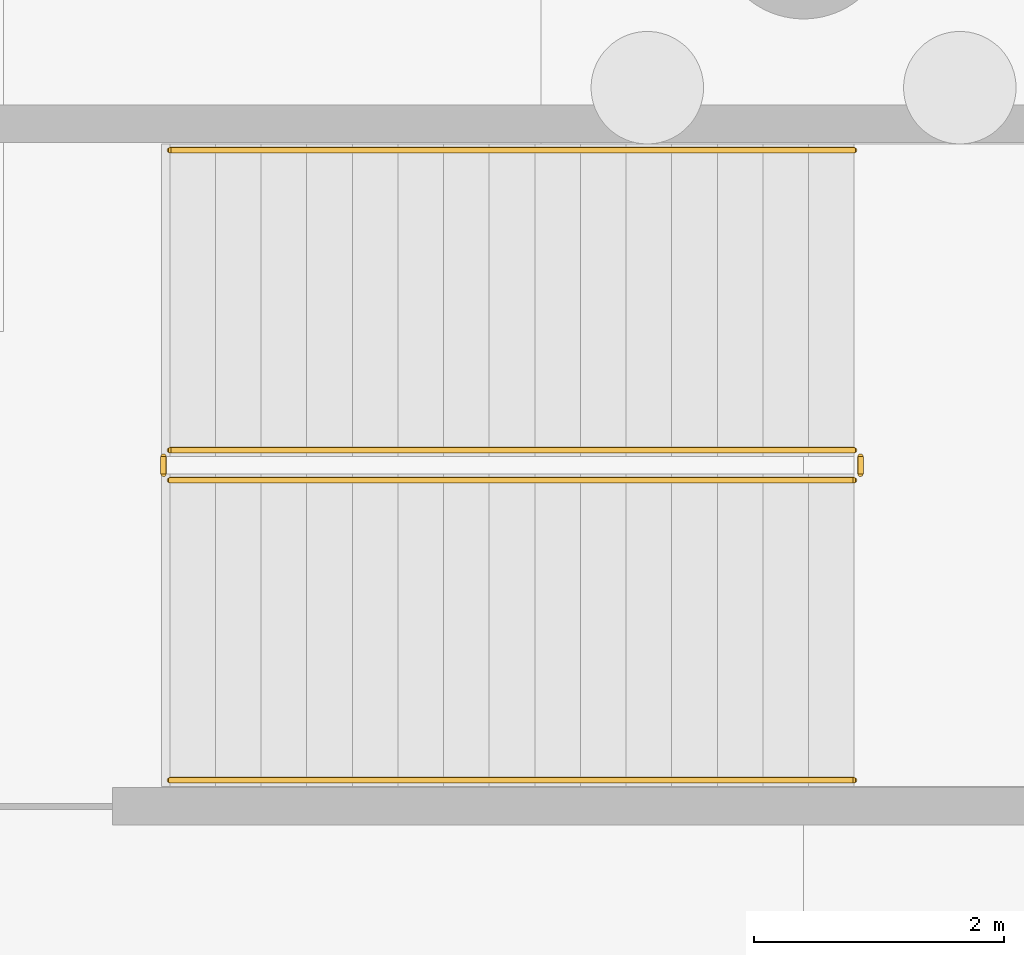
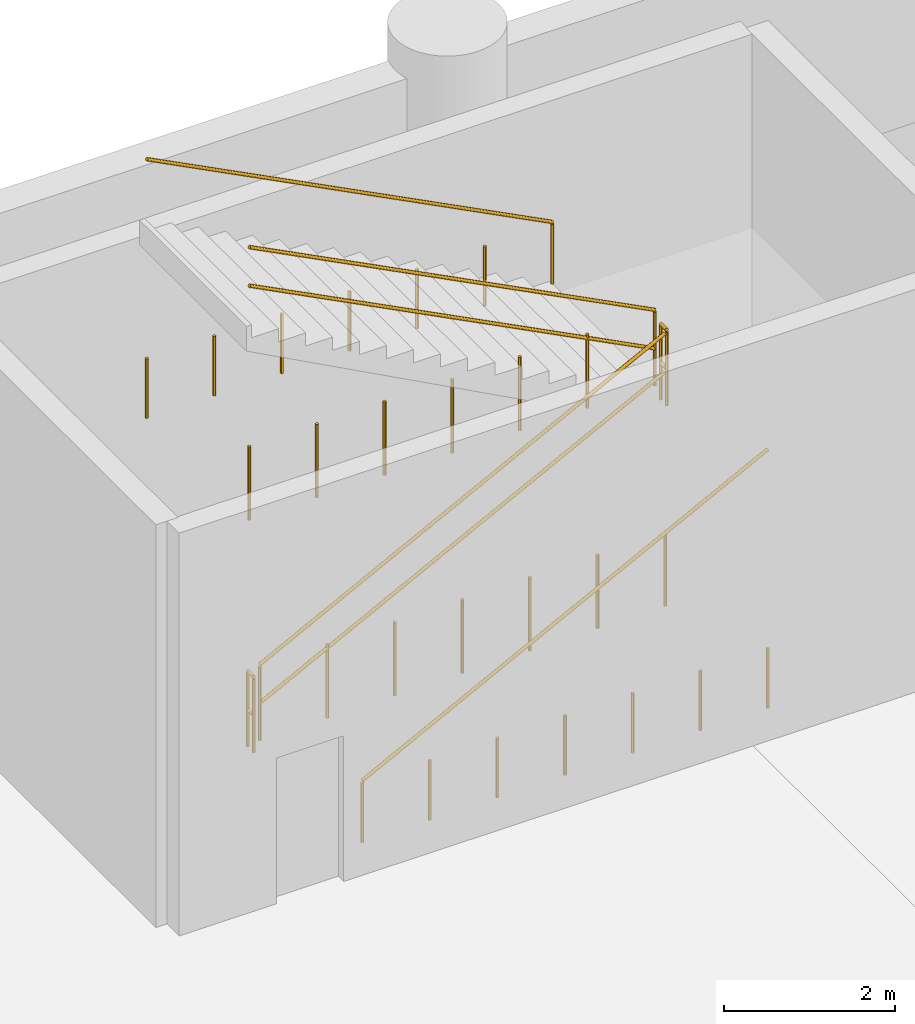
# One storey, part 123 of 124: 6 railings.
"""IFC4 building model written with IfcOpenShell, lengths in metres."""

from ifc_helpers import new_model, si_unit, direction, frame, origin, origin_2d, place, context, subcontext, project, spatial, circle, extrude, material, type_object, element, save


model = new_model("IFC4")

# Units and contexts
model_context = context("Model", 3, precision=1e-05, world=origin(), true_north=direction((0.0, 1.0)))
body_context = subcontext(model_context, "Body", "Model", "MODEL_VIEW")
ifc_project = project(units=[si_unit("LENGTHUNIT", "METRE"), si_unit("AREAUNIT", "SQUARE_METRE"), si_unit("VOLUMEUNIT", "CUBIC_METRE"), si_unit("PLANEANGLEUNIT", "RADIAN"), si_unit("MASSUNIT", "GRAM", prefix="KILO")], contexts=[model_context])

# Site, building, storey
site_placement = place(None, origin())
site = spatial("IfcSite", under=ifc_project, at=site_placement, CompositionType="ELEMENT")
building_placement = place(site_placement, origin())
building = spatial("IfcBuilding", under=site, at=building_placement, Name="Danafjord Basin Convention Centre", CompositionType="ELEMENT")
storey_placement = place(building_placement, origin())
storey = spatial("IfcBuildingStorey", under=building, at=storey_placement, Name="L00", CompositionType="ELEMENT", Elevation=0.0)

# Railings
ifc_material_1 = material(Name="Galvanised steel S355", Category="steel")
railing_type_1 = type_object("IfcRailingType", Name="RL-GD-WELL", PredefinedType="BALUSTRADE", material=ifc_material_1)
railing_1_placement = place(storey_placement, frame((52.530029296875, 139.610107421875, 0.1875)))
element("IfcRailing", 1, at=railing_1_placement, inside=storey, type_object=railing_type_1, Name="L00 ST-10 stair guard 1", PredefinedType="BALUSTRADE", context=body_context, shape_type="SweptSolid", body=[
    extrude(circle(Radius=0.02392578125, at=origin_2d()), frame((0.0, 0.0, 1.076171875), z_axis=(0.889495128042, 0.0, 0.456944654405), x_axis=(0.0, 1.0, 0.0)), (0.0, 0.0, 1.0), 6.155029296875),
    extrude(circle(Radius=0.02392578125, at=origin_2d()), frame((0.0, 0.0, 0.52587890625), z_axis=(0.889495128042, 0.0, 0.456944654405), x_axis=(0.0, 1.0, 0.0)), (0.0, 0.0, 1.0), 6.155029296875),
    extrude(circle(Radius=0.02099609375, at=origin_2d()), origin(), (0.0, 0.0, 1.0), 1.050048828125),
    extrude(circle(Radius=0.02099609375, at=origin_2d()), frame((0.91259765625, 0.0, 0.0)), (0.0, 0.0, 1.0), 1.050048828125),
    extrude(circle(Radius=0.02099609375, at=origin_2d()), frame((1.824951171875, 0.0, 0.0)), (0.0, 0.0, 1.0), 1.050048828125),
    extrude(circle(Radius=0.02099609375, at=origin_2d()), frame((2.7373046875, 0.0, 0.0)), (0.0, 0.0, 1.0), 1.050048828125),
    extrude(circle(Radius=0.02099609375, at=origin_2d()), frame((3.64990234375, 0.0, 0.0)), (0.0, 0.0, 1.0), 1.050048828125),
    extrude(circle(Radius=0.02099609375, at=origin_2d()), frame((4.5625, 0.0, 0.0)), (0.0, 0.0, 1.0), 1.050048828125),
    extrude(circle(Radius=0.02099609375, at=origin_2d()), frame((5.474853515625, 0.0, 0.0)), (0.0, 0.0, 1.0), 1.050048828125),
])
railing_2_placement = place(storey_placement, frame((58.054931640625, 139.659912109375, 3.0)))
element("IfcRailing", 2, at=railing_2_placement, inside=storey, type_object=railing_type_1, Name="L00 ST-10 stair guard 2", PredefinedType="BALUSTRADE", context=body_context, shape_type="SweptSolid", body=[
    extrude(circle(Radius=0.02392578125, at=origin_2d()), frame((0.0, 0.0, 1.076171875), z_axis=(0.0, 1.0, 0.0), x_axis=(-1.0, 0.0, 0.0)), (0.0, 0.0, 1.0), 0.14013671875),
    extrude(circle(Radius=0.02392578125, at=origin_2d()), frame((0.0, 0.0, 0.52587890625), z_axis=(0.0, 1.0, 0.0), x_axis=(-1.0, 0.0, 0.0)), (0.0, 0.0, 1.0), 0.14013671875),
    extrude(circle(Radius=0.02099609375, at=origin_2d()), origin(), (0.0, 0.0, 1.0), 1.050048828125),
    extrude(circle(Radius=0.02099609375, at=origin_2d()), frame((0.0, 0.14013671875, 0.0)), (0.0, 0.0, 1.0), 1.050048828125),
])
railing_3_placement = place(storey_placement, frame((58.0048828125, 139.85009765625, 3.1875)))
element("IfcRailing", 3, at=railing_3_placement, inside=storey, type_object=railing_type_1, Name="L00 ST-10 stair guard 3", PredefinedType="BALUSTRADE", context=body_context, shape_type="SweptSolid", body=[
    extrude(circle(Radius=0.02392578125, at=origin_2d()), frame((0.0, 0.0, 1.076171875), z_axis=(-0.889495128042, 0.0, 0.456944654405), x_axis=(0.0, -1.0, 0.0)), (0.0, 0.0, 1.0), 6.155029296875),
    extrude(circle(Radius=0.02392578125, at=origin_2d()), frame((0.0, 0.0, 0.52587890625), z_axis=(-0.889495128042, 0.0, 0.456944654405), x_axis=(0.0, -1.0, 0.0)), (0.0, 0.0, 1.0), 6.155029296875),
    extrude(circle(Radius=0.02099609375, at=origin_2d()), origin(), (0.0, 0.0, 1.0), 1.050048828125),
    extrude(circle(Radius=0.02099609375, at=origin_2d()), frame((-0.91259765625, 0.0, 0.0)), (0.0, 0.0, 1.0), 1.050048828125),
    extrude(circle(Radius=0.02099609375, at=origin_2d()), frame((-1.824951171875, 0.0, 0.0)), (0.0, 0.0, 1.0), 1.050048828125),
    extrude(circle(Radius=0.02099609375, at=origin_2d()), frame((-2.7373046875, 0.0, 0.0)), (0.0, 0.0, 1.0), 1.050048828125),
    extrude(circle(Radius=0.02099609375, at=origin_2d()), frame((-3.64990234375, 0.0, 0.0)), (0.0, 0.0, 1.0), 1.050048828125),
    extrude(circle(Radius=0.02099609375, at=origin_2d()), frame((-4.5625, 0.0, 0.0)), (0.0, 0.0, 1.0), 1.050048828125),
    extrude(circle(Radius=0.02099609375, at=origin_2d()), frame((-5.474853515625, 0.0, 0.0)), (0.0, 0.0, 1.0), 1.050048828125),
])
railing_4_placement = place(storey_placement, frame((52.47998046875, 139.659912109375, 0.0)))
element("IfcRailing", 4, at=railing_4_placement, inside=storey, type_object=railing_type_1, Name="L00 ST-10 stair guard 4", PredefinedType="BALUSTRADE", context=body_context, shape_type="SweptSolid", body=[
    extrude(circle(Radius=0.02392578125, at=origin_2d()), frame((0.0, 0.0, 1.076171875), z_axis=(0.0, 1.0, 0.0), x_axis=(-1.0, 0.0, 0.0)), (0.0, 0.0, 1.0), 0.14013671875),
    extrude(circle(Radius=0.02392578125, at=origin_2d()), frame((0.0, 0.0, 0.52587890625), z_axis=(0.0, 1.0, 0.0), x_axis=(-1.0, 0.0, 0.0)), (0.0, 0.0, 1.0), 0.14013671875),
    extrude(circle(Radius=0.02099609375, at=origin_2d()), origin(), (0.0, 0.0, 1.0), 1.050048828125),
    extrude(circle(Radius=0.02099609375, at=origin_2d()), frame((0.0, 0.14013671875, 0.0)), (0.0, 0.0, 1.0), 1.050048828125),
])
ifc_material_2 = material(Name="Brushed stainless steel EN 1.4404", Category="steel")
railing_type_2 = type_object("IfcRailingType", Name="RL-HR-STAIR", PredefinedType="HANDRAIL", material=ifc_material_2)
railing_5_placement = place(storey_placement, frame((52.530029296875, 137.2099609375, 0.1875)))
element("IfcRailing", 5, at=railing_5_placement, inside=storey, type_object=railing_type_2, Name="L00 ST-10 stair handrail 1", PredefinedType="HANDRAIL", context=body_context, shape_type="SweptSolid", body=[
    extrude(circle(Radius=0.02392578125, at=origin_2d()), frame((0.0, 0.0, 0.8759765625), z_axis=(0.889495128042, 0.0, 0.456944654405), x_axis=(0.0, 1.0, 0.0)), (0.0, 0.0, 1.0), 6.155029296875),
    extrude(circle(Radius=0.02099609375, at=origin_2d()), origin(), (0.0, 0.0, 1.0), 0.849853515625),
    extrude(circle(Radius=0.02099609375, at=origin_2d()), frame((0.91259765625, 0.0, 0.0)), (0.0, 0.0, 1.0), 0.849853515625),
    extrude(circle(Radius=0.02099609375, at=origin_2d()), frame((1.824951171875, 0.0, 0.0)), (0.0, 0.0, 1.0), 0.849853515625),
    extrude(circle(Radius=0.02099609375, at=origin_2d()), frame((2.7373046875, 0.0, 0.0)), (0.0, 0.0, 1.0), 0.849853515625),
    extrude(circle(Radius=0.02099609375, at=origin_2d()), frame((3.64990234375, 0.0, 0.0)), (0.0, 0.0, 1.0), 0.849853515625),
    extrude(circle(Radius=0.02099609375, at=origin_2d()), frame((4.5625, 0.0, 0.0)), (0.0, 0.0, 1.0), 0.849853515625),
    extrude(circle(Radius=0.02099609375, at=origin_2d()), frame((5.474853515625, 0.0, 0.0)), (0.0, 0.0, 1.0), 0.849853515625),
])
railing_6_placement = place(storey_placement, frame((58.0048828125, 142.25, 3.1875)))
element("IfcRailing", 6, at=railing_6_placement, inside=storey, type_object=railing_type_2, Name="L00 ST-10 stair handrail 2", PredefinedType="HANDRAIL", context=body_context, shape_type="SweptSolid", body=[
    extrude(circle(Radius=0.02392578125, at=origin_2d()), frame((0.0, 0.0, 0.8759765625), z_axis=(-0.889495128042, 0.0, 0.456944654405), x_axis=(0.0, -1.0, 0.0)), (0.0, 0.0, 1.0), 6.155029296875),
    extrude(circle(Radius=0.02099609375, at=origin_2d()), origin(), (0.0, 0.0, 1.0), 0.849853515625),
    extrude(circle(Radius=0.02099609375, at=origin_2d()), frame((-0.91259765625, 0.0, 0.0)), (0.0, 0.0, 1.0), 0.849853515625),
    extrude(circle(Radius=0.02099609375, at=origin_2d()), frame((-1.824951171875, 0.0, 0.0)), (0.0, 0.0, 1.0), 0.849853515625),
    extrude(circle(Radius=0.02099609375, at=origin_2d()), frame((-2.7373046875, 0.0, 0.0)), (0.0, 0.0, 1.0), 0.849853515625),
    extrude(circle(Radius=0.02099609375, at=origin_2d()), frame((-3.64990234375, 0.0, 0.0)), (0.0, 0.0, 1.0), 0.849853515625),
    extrude(circle(Radius=0.02099609375, at=origin_2d()), frame((-4.5625, 0.0, 0.0)), (0.0, 0.0, 1.0), 0.849853515625),
    extrude(circle(Radius=0.02099609375, at=origin_2d()), frame((-5.474853515625, 0.0, 0.0)), (0.0, 0.0, 1.0), 0.849853515625),
])

save(model, "model.ifc")
